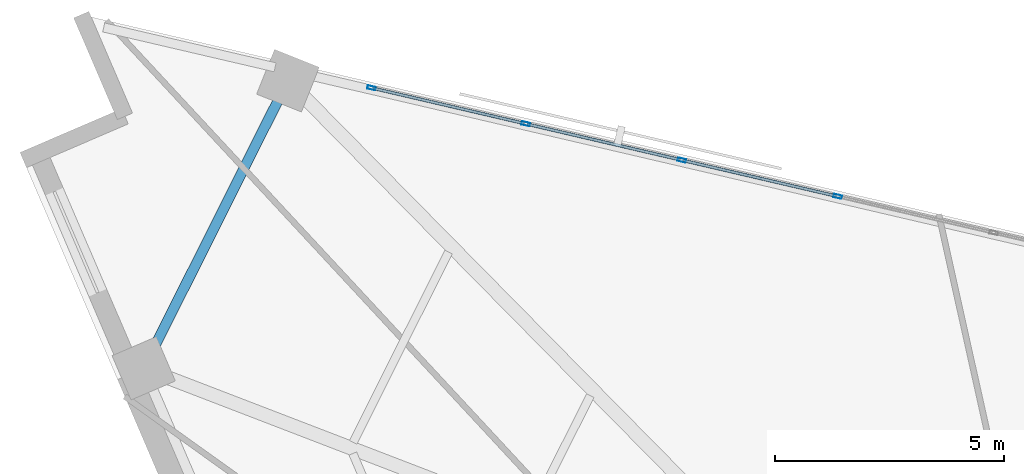
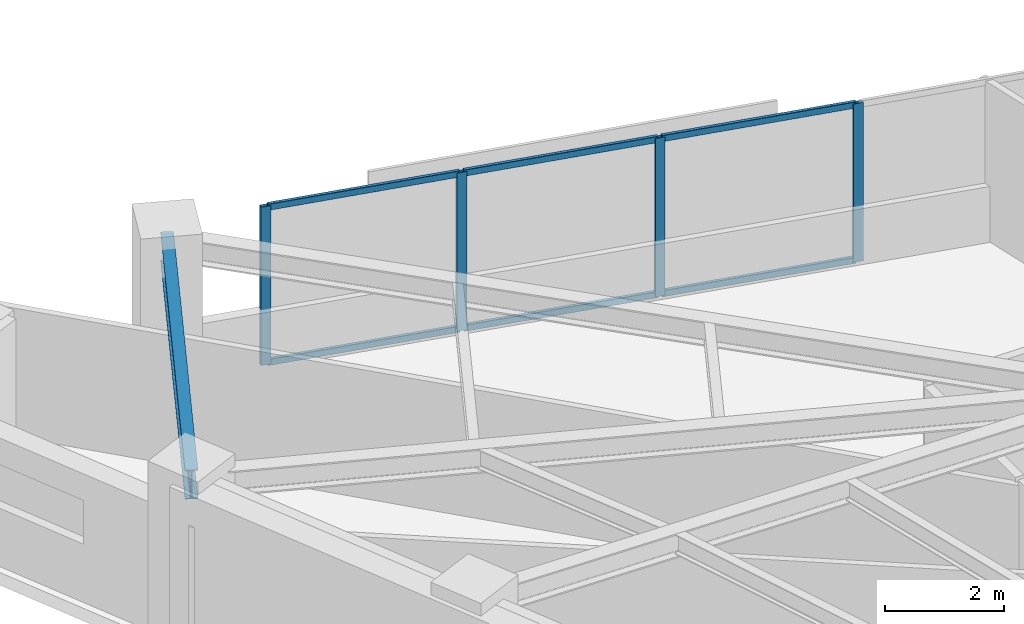
# One storey, part 6 of 14: 10 members, 1 beam, 1 element without a shape of its own.
"""IFC4 building model written with IfcOpenShell, lengths in metres."""

from ifc_helpers import new_model, si_unit, direction, frame, origin, origin_2d, place, context, subcontext, project, spatial, hollow_rectangle, i_section, extrude, material, material_profile, profile_set, type_object, element, aggregate, save


model = new_model("IFC4")

# Units and contexts
model_context = context("Model", 3, precision=1e-05, world=origin(), true_north=direction((0.0, 1.0)))
body_context = subcontext(model_context, "Body", "Model", "MODEL_VIEW")
ifc_project = project(units=[si_unit("LENGTHUNIT", "METRE"), si_unit("AREAUNIT", "SQUARE_METRE"), si_unit("VOLUMEUNIT", "CUBIC_METRE"), si_unit("PLANEANGLEUNIT", "RADIAN"), si_unit("MASSUNIT", "GRAM", prefix="KILO")], contexts=[model_context])

# Site, building, storey
site_placement = place(None, origin())
site = spatial("IfcSite", under=ifc_project, at=site_placement, CompositionType="ELEMENT")
building_placement = place(site_placement, origin())
building = spatial("IfcBuilding", under=site, at=building_placement, Name="Narakoshi Arena Tower", CompositionType="ELEMENT")
storey_placement = place(building_placement, frame((0.0, 0.0, 179.10009765625)))
storey = spatial("IfcBuildingStorey", under=building, at=storey_placement, Name="L48", CompositionType="ELEMENT", Elevation=179.10009765625)

# Beam
ifc_material_1 = material(Name="Structural steel S355J2", Category="steel")
ifc_material_profile_1 = material_profile(ifc_material_1, i_section(OverallWidth=0.219970703125, OverallDepth=0.60009765625, WebThickness=0.011962890625, FlangeThickness=0.01904296875, FilletRadius=0.02392578125, at=origin_2d()), Name="IPE600")
ifc_profile_set_1 = profile_set([ifc_material_profile_1], Name="Structural steel S355J2")
beam_type = type_object("IfcBeamType", Name="BM-EDGE-600", PredefinedType="BEAM", material=ifc_profile_set_1)
beam_placement = place(storey_placement, frame((60.12158203125, 68.55126953125, 2.9599609375), z_axis=(-0.448312643015, -0.893876822674, 0.0), x_axis=(0.893876822674, -0.448312643015, 0.0)))
element("IfcBeam", 1, at=beam_placement, inside=storey, type_object=beam_type, Name="L48 Perimeter Edge Girder 07", PredefinedType="BEAM", context=body_context, shape_type="SweptSolid", body=[
    extrude(i_section(OverallWidth=0.219970703125, OverallDepth=0.60009765625, WebThickness=0.011962890625, FlangeThickness=0.01904296875, FilletRadius=0.02392578125, at=origin_2d()), origin(), (0.0, 0.0, 1.0), 7.017333984375),
])

# Curtain wall, members
ifc_material_2 = material(Name="Anodised bronze aluminium 6063-T6", Category="aluminium")
curtain_wall_type = type_object("IfcCurtainWallType", Name="CW-HYP-MID", PredefinedType="NOTDEFINED", material=ifc_material_2)
curtain_wall_placement = place(storey_placement, origin())
curtain_wall = element("IfcCurtainWall", 2, at=curtain_wall_placement, inside=storey, type_object=curtain_wall_type, Name="L48 Folded Hypotenuse Curtain Wall 2-1", PredefinedType="NOTDEFINED")
ifc_material_profile_2 = material_profile(ifc_material_2, hollow_rectangle(XDim=0.074951171875, YDim=0.179931640625, WallThickness=0.00390625, OuterFilletRadius=0.0048828125, at=origin_2d()), Name="MUL180x75x4")
ifc_profile_set_2 = profile_set([ifc_material_profile_2], Name="Anodised bronze aluminium 6063-T6")
member_type_1 = type_object("IfcMemberType", Name="MEM-MUL-180", PredefinedType="MULLION", material=ifc_profile_set_2)
member_1_placement = place(storey_placement, frame((72.109619140625, 66.027587890625, 0.0), z_axis=(0.0, 0.0, 1.0), x_axis=(-0.226721182724, -0.973959704148, 0.0)))
member_1 = element("IfcMember", 3, at=member_1_placement, type_object=member_type_1, Name="CW-02 mullion 5", PredefinedType="MULLION", context=body_context, shape_type="SweptSolid", body=[
    extrude(hollow_rectangle(XDim=0.074951171875, YDim=0.179931640625, WallThickness=0.00390625, OuterFilletRadius=0.0048828125, at=origin_2d()), origin(), (0.0, 0.0, 1.0), 3.260009765625),
])
member_2_placement = place(storey_placement, frame((68.708740234375, 66.8193359375, 0.0), z_axis=(0.0, 0.0, 1.0), x_axis=(-0.226721182724, -0.973959704148, 0.0)))
member_2 = element("IfcMember", 4, at=member_2_placement, type_object=member_type_1, Name="CW-02 mullion 6", PredefinedType="MULLION", context=body_context, shape_type="SweptSolid", body=[
    extrude(hollow_rectangle(XDim=0.074951171875, YDim=0.179931640625, WallThickness=0.00390625, OuterFilletRadius=0.0048828125, at=origin_2d()), origin(), (0.0, 0.0, 1.0), 3.260009765625),
])
member_3_placement = place(storey_placement, frame((65.307861328125, 67.611083984375, 0.0), z_axis=(0.0, 0.0, 1.0), x_axis=(-0.226721182724, -0.973959704148, 0.0)))
member_3 = element("IfcMember", 5, at=member_3_placement, type_object=member_type_1, Name="CW-02 mullion 7", PredefinedType="MULLION", context=body_context, shape_type="SweptSolid", body=[
    extrude(hollow_rectangle(XDim=0.074951171875, YDim=0.179931640625, WallThickness=0.00390625, OuterFilletRadius=0.0048828125, at=origin_2d()), origin(), (0.0, 0.0, 1.0), 3.260009765625),
])
member_4_placement = place(storey_placement, frame((61.943359375, 68.394287109375, 0.0), z_axis=(0.0, 0.0, 1.0), x_axis=(-0.226721182724, -0.973959704148, 0.0)))
member_4 = element("IfcMember", 6, at=member_4_placement, type_object=member_type_1, Name="CW-02 mullion 8", PredefinedType="MULLION", context=body_context, shape_type="SweptSolid", body=[
    extrude(hollow_rectangle(XDim=0.074951171875, YDim=0.179931640625, WallThickness=0.00390625, OuterFilletRadius=0.0048828125, at=origin_2d()), origin(), (0.0, 0.0, 1.0), 3.260009765625),
])
ifc_material_profile_3 = material_profile(ifc_material_2, hollow_rectangle(XDim=0.06494140625, YDim=0.1298828125, WallThickness=0.00390625, OuterFilletRadius=0.0048828125, at=origin_2d()), Name="TRN130x65x4")
ifc_profile_set_3 = profile_set([ifc_material_profile_3], Name="Anodised bronze aluminium 6063-T6")
member_type_2 = type_object("IfcMemberType", Name="MEM-TRN-130", PredefinedType="USERDEFINED", material=ifc_profile_set_3)
member_5_placement = place(storey_placement, frame((72.072998046875, 66.0361328125, 0.032470703125), z_axis=(-0.973960713384, 0.226716847155, 0.0), x_axis=(-0.226716847155, -0.973960713384, 0.0)))
member_5 = element("IfcMember", 7, at=member_5_placement, type_object=member_type_2, Name="CW-02 transom 5.1", ObjectType="TRANSOM", PredefinedType="USERDEFINED", context=body_context, shape_type="SweptSolid", body=[
    extrude(hollow_rectangle(XDim=0.06494140625, YDim=0.1298828125, WallThickness=0.00390625, OuterFilletRadius=0.0048828125, at=origin_2d()), origin(), (0.0, 0.0, 1.0), 3.416748046875),
])
member_6_placement = place(storey_placement, frame((72.072998046875, 66.0361328125, 3.227294921875), z_axis=(-0.973960713384, 0.226716847155, 0.0), x_axis=(-0.226716847155, -0.973960713384, 0.0)))
member_6 = element("IfcMember", 8, at=member_6_placement, type_object=member_type_2, Name="CW-02 transom 5.2", ObjectType="TRANSOM", PredefinedType="USERDEFINED", context=body_context, shape_type="SweptSolid", body=[
    extrude(hollow_rectangle(XDim=0.06494140625, YDim=0.1298828125, WallThickness=0.00390625, OuterFilletRadius=0.0048828125, at=origin_2d()), origin(), (0.0, 0.0, 1.0), 3.416748046875),
])
member_7_placement = place(storey_placement, frame((68.672119140625, 66.827880859375, 0.032470703125), z_axis=(-0.973960713384, 0.226716847155, 0.0), x_axis=(-0.226716847155, -0.973960713384, 0.0)))
member_7 = element("IfcMember", 9, at=member_7_placement, type_object=member_type_2, Name="CW-02 transom 6.1", ObjectType="TRANSOM", PredefinedType="USERDEFINED", context=body_context, shape_type="SweptSolid", body=[
    extrude(hollow_rectangle(XDim=0.06494140625, YDim=0.1298828125, WallThickness=0.00390625, OuterFilletRadius=0.0048828125, at=origin_2d()), origin(), (0.0, 0.0, 1.0), 3.416748046875),
])
member_8_placement = place(storey_placement, frame((68.672119140625, 66.827880859375, 3.227294921875), z_axis=(-0.973960713384, 0.226716847155, 0.0), x_axis=(-0.226716847155, -0.973960713384, 0.0)))
member_8 = element("IfcMember", 10, at=member_8_placement, type_object=member_type_2, Name="CW-02 transom 6.2", ObjectType="TRANSOM", PredefinedType="USERDEFINED", context=body_context, shape_type="SweptSolid", body=[
    extrude(hollow_rectangle(XDim=0.06494140625, YDim=0.1298828125, WallThickness=0.00390625, OuterFilletRadius=0.0048828125, at=origin_2d()), origin(), (0.0, 0.0, 1.0), 3.416748046875),
])
member_9_placement = place(storey_placement, frame((65.271240234375, 67.61962890625, 0.032470703125), z_axis=(-0.97396204172, 0.226711140636, 0.0), x_axis=(-0.226711140636, -0.97396204172, 0.0)))
member_9 = element("IfcMember", 11, at=member_9_placement, type_object=member_type_2, Name="CW-02 transom 7.1", ObjectType="TRANSOM", PredefinedType="USERDEFINED", context=body_context, shape_type="SweptSolid", body=[
    extrude(hollow_rectangle(XDim=0.06494140625, YDim=0.1298828125, WallThickness=0.00390625, OuterFilletRadius=0.0048828125, at=origin_2d()), origin(), (0.0, 0.0, 1.0), 3.379150390625),
])
member_10_placement = place(storey_placement, frame((65.271240234375, 67.61962890625, 3.227294921875), z_axis=(-0.97396204172, 0.226711140636, 0.0), x_axis=(-0.226711140636, -0.97396204172, 0.0)))
member_10 = element("IfcMember", 12, at=member_10_placement, type_object=member_type_2, Name="CW-02 transom 7.2", ObjectType="TRANSOM", PredefinedType="USERDEFINED", context=body_context, shape_type="SweptSolid", body=[
    extrude(hollow_rectangle(XDim=0.06494140625, YDim=0.1298828125, WallThickness=0.00390625, OuterFilletRadius=0.0048828125, at=origin_2d()), origin(), (0.0, 0.0, 1.0), 3.379150390625),
])
aggregate(curtain_wall, [member_1, member_2, member_3, member_4, member_5, member_6, member_7, member_8, member_9, member_10])

save(model, "model.ifc")
